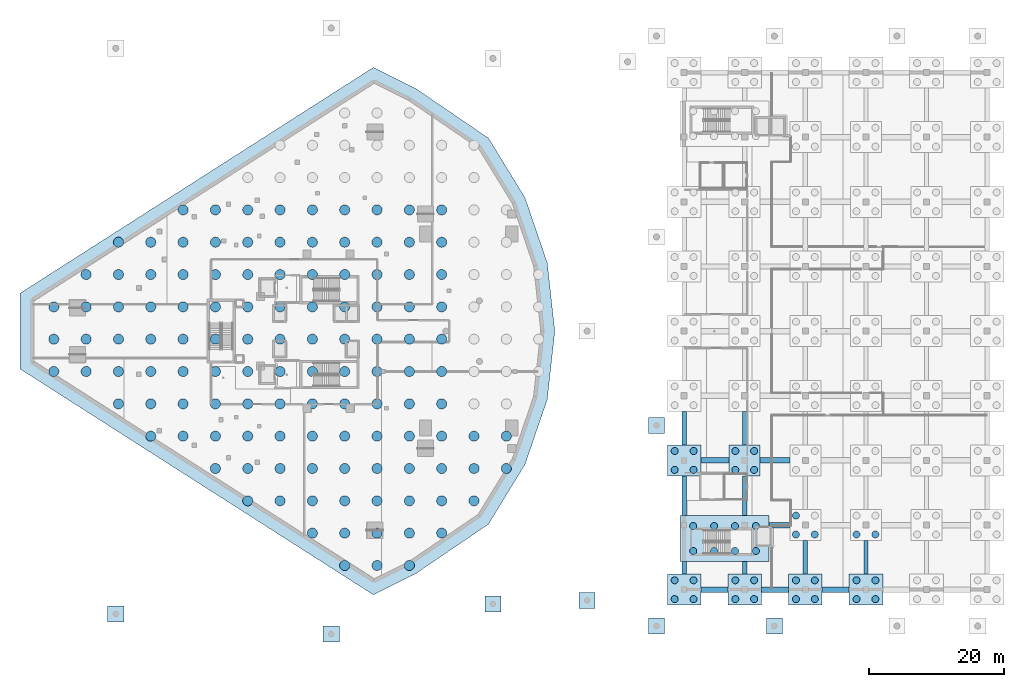
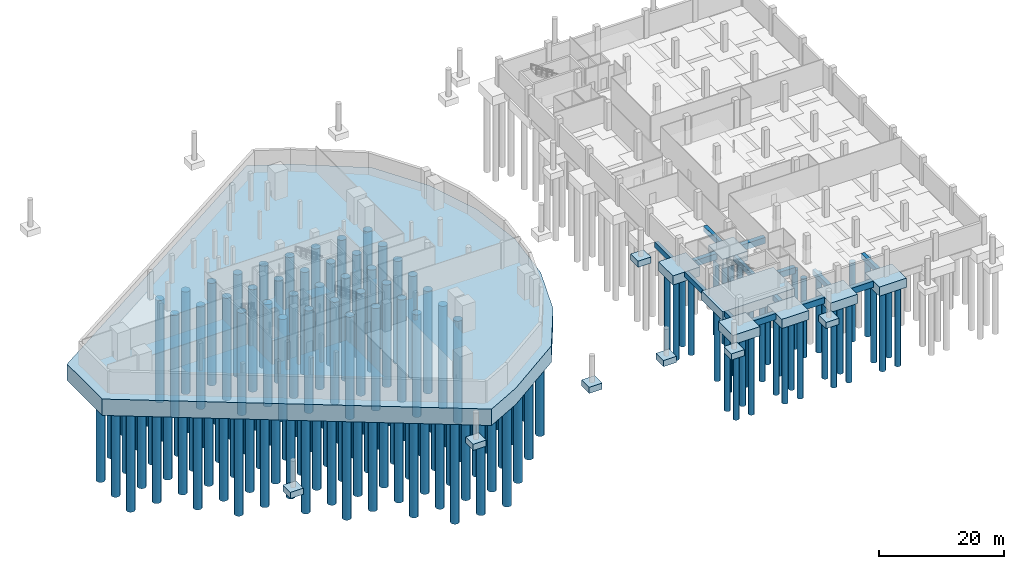
# One storey, part 1 of 22: 157 piles, 29 footings.
"""IFC4 building model written with IfcOpenShell, lengths in metres."""

from ifc_helpers import new_model, si_unit, direction, frame, origin, origin_2d, place, context, subcontext, project, spatial, polyline, rectangle, circle, outline, extrude, material, layer, layer_set, material_profile, profile_set, type_object, element, save


model = new_model("IFC4")

# Units and contexts
model_context = context("Model", 3, precision=1e-05, world=origin(), true_north=direction((0.0, 1.0)))
body_context = subcontext(model_context, "Body", "Model", "MODEL_VIEW")
ifc_project = project(units=[si_unit("LENGTHUNIT", "METRE"), si_unit("AREAUNIT", "SQUARE_METRE"), si_unit("VOLUMEUNIT", "CUBIC_METRE"), si_unit("PLANEANGLEUNIT", "RADIAN"), si_unit("MASSUNIT", "GRAM", prefix="KILO")], contexts=[model_context])

# Site, building, storey
site_placement = place(None, origin())
site = spatial("IfcSite", under=ifc_project, at=site_placement, CompositionType="ELEMENT")
building_placement = place(site_placement, origin())
building = spatial("IfcBuilding", under=site, at=building_placement, Name="Qorvath Tower", CompositionType="ELEMENT")
storey_placement = place(building_placement, frame((0.0, 0.0, -5.39990234375)))
storey = spatial("IfcBuildingStorey", under=building, at=storey_placement, Name="B01", CompositionType="ELEMENT", Elevation=-5.39990234375)

# Footings
ifc_material_1 = material(Name="Concrete C45/55", Category="concrete")
ifc_material_profile_1 = material_profile(ifc_material_1, rectangle(XDim=0.800048828125, YDim=1.199951171875, at=origin_2d()), Name="GB 800x1200")
ifc_profile_set_1 = profile_set([ifc_material_profile_1], Name="Concrete C45/55")
footing_type_1 = type_object("IfcFootingType", Name="FT-GB1", PredefinedType="FOOTING_BEAM", material=ifc_profile_set_1)
for number, where, z_axis, x_axis, name in (
    (1, (34.89990234375, -38.39990234375, -0.60009765625), (1.0, 0.0, 0.0), (0.0, 1.0, 0.0), "Library Tie Beam GB-001"),
    (2, (43.89990234375, -38.39990234375, -0.60009765625), (1.0, 0.0, 0.0), (0.0, 1.0, 0.0), "Library Tie Beam GB-002"),
    (3, (52.89990234375, -38.39990234375, -0.60009765625), (1.0, 0.0, 0.0), (0.0, 1.0, 0.0), "Library Tie Beam GB-003"),
):
    element("IfcFooting", number, at=place(storey_placement, frame(where, z_axis=z_axis, x_axis=x_axis)), inside=storey, type_object=footing_type_1, Name=name, PredefinedType="FOOTING_BEAM", context=body_context, shape_type="SweptSolid", body=[
        extrude(rectangle(XDim=0.800048828125, YDim=1.199951171875, at=origin_2d()), origin(), (0.0, 0.0, 1.0), 4.0),
    ])
footing_1_placement = place(storey_placement, frame((45.0, -28.800048828125, -0.60009765625), z_axis=(1.0, 0.0, 0.0), x_axis=(0.0, 1.0, 0.0)))
element("IfcFooting", 4, at=footing_1_placement, inside=storey, type_object=footing_type_1, Name="Library Tie Beam GB-006", PredefinedType="FOOTING_BEAM", context=body_context, shape_type="SweptSolid", body=[
    extrude(rectangle(XDim=0.800048828125, YDim=1.199951171875, at=origin_2d()), origin(), (0.0, 0.0, 1.0), 3.10009765625),
])
footing_2_placement = place(storey_placement, frame((34.89990234375, -19.199951171875, -0.60009765625), z_axis=(1.0, 0.0, 0.0), x_axis=(0.0, 1.0, 0.0)))
element("IfcFooting", 5, at=footing_2_placement, inside=storey, type_object=footing_type_1, Name="Library Tie Beam GB-010", PredefinedType="FOOTING_BEAM", context=body_context, shape_type="SweptSolid", body=[
    extrude(rectangle(XDim=0.800048828125, YDim=1.199951171875, at=origin_2d()), origin(), (0.0, 0.0, 1.0), 4.2001953125),
])
footing_3_placement = place(storey_placement, frame((43.699951171875, -19.199951171875, -0.60009765625), z_axis=(1.0, 0.0, 0.0), x_axis=(0.0, 1.0, 0.0)))
element("IfcFooting", 6, at=footing_3_placement, inside=storey, type_object=footing_type_1, Name="Library Tie Beam GB-011", PredefinedType="FOOTING_BEAM", context=body_context, shape_type="SweptSolid", body=[
    extrude(rectangle(XDim=0.800048828125, YDim=1.199951171875, at=origin_2d()), origin(), (0.0, 0.0, 1.0), 4.400146484375),
])
ifc_material_2 = material(Name="Concrete C45/55", Category="concrete")
ifc_material_profile_2 = material_profile(ifc_material_2, rectangle(XDim=0.64990234375, YDim=1.0, at=origin_2d()), Name="GB 650x1000")
ifc_profile_set_2 = profile_set([ifc_material_profile_2], Name="Concrete C45/55")
footing_type_2 = type_object("IfcFootingType", Name="FT-GB2", PredefinedType="FOOTING_BEAM", material=ifc_profile_set_2)
footing_4_placement = place(storey_placement, frame((32.39990234375, -36.10009765625, -0.5), z_axis=(0.0, 1.0, 0.0), x_axis=(-1.0, 0.0, 0.0)))
element("IfcFooting", 7, at=footing_4_placement, inside=storey, type_object=footing_type_2, Name="Library Tie Beam GB-044", PredefinedType="FOOTING_BEAM", context=body_context, shape_type="SweptSolid", body=[
    extrude(rectangle(XDim=0.64990234375, YDim=1.0, at=origin_2d()), origin(), (0.0, 0.0, 1.0), 1.900146484375),
])
footing_5_placement = place(storey_placement, frame((32.39990234375, -27.39990234375, -0.5), z_axis=(0.0, 1.0, 0.0), x_axis=(-1.0, 0.0, 0.0)))
element("IfcFooting", 8, at=footing_5_placement, inside=storey, type_object=footing_type_2, Name="Library Tie Beam GB-045", PredefinedType="FOOTING_BEAM", context=body_context, shape_type="SweptSolid", body=[
    extrude(rectangle(XDim=0.64990234375, YDim=1.0, at=origin_2d()), origin(), (0.0, 0.0, 1.0), 5.89990234375),
])
footing_6_placement = place(storey_placement, frame((32.39990234375, -16.89990234375, -0.5), z_axis=(0.0, 1.0, 0.0), x_axis=(-1.0, 0.0, 0.0)))
element("IfcFooting", 9, at=footing_6_placement, inside=storey, type_object=footing_type_2, Name="Library Tie Beam GB-046", PredefinedType="FOOTING_BEAM", context=body_context, shape_type="SweptSolid", body=[
    extrude(rectangle(XDim=0.64990234375, YDim=1.0, at=origin_2d()), origin(), (0.0, 0.0, 1.0), 5.0),
])
footing_7_placement = place(storey_placement, frame((41.39990234375, -36.10009765625, -0.5), z_axis=(0.0, 1.0, 0.0), x_axis=(-1.0, 0.0, 0.0)))
element("IfcFooting", 10, at=footing_7_placement, inside=storey, type_object=footing_type_2, Name="Library Tie Beam GB-052", PredefinedType="FOOTING_BEAM", context=body_context, shape_type="SweptSolid", body=[
    extrude(rectangle(XDim=0.64990234375, YDim=1.0, at=origin_2d()), origin(), (0.0, 0.0, 1.0), 1.900146484375),
])
footing_8_placement = place(storey_placement, frame((41.39990234375, -27.39990234375, -0.5), z_axis=(0.0, 1.0, 0.0), x_axis=(-1.0, 0.0, 0.0)))
element("IfcFooting", 11, at=footing_8_placement, inside=storey, type_object=footing_type_2, Name="Library Tie Beam GB-053", PredefinedType="FOOTING_BEAM", context=body_context, shape_type="SweptSolid", body=[
    extrude(rectangle(XDim=0.64990234375, YDim=1.0, at=origin_2d()), origin(), (0.0, 0.0, 1.0), 5.89990234375),
])
for number, where, z_axis, x_axis, name in (
    (12, (41.39990234375, -16.89990234375, -0.5), (0.0, 1.0, 0.0), (-1.0, 0.0, 0.0), "Library Tie Beam GB-054"),
    (13, (50.39990234375, -36.10009765625, -0.5), (0.0, 1.0, 0.0), (-1.0, 0.0, 0.0), "Library Tie Beam GB-060"),
    (14, (59.39990234375, -36.10009765625, -0.5), (0.0, 1.0, 0.0), (-1.0, 0.0, 0.0), "Library Tie Beam GB-068"),
):
    element("IfcFooting", number, at=place(storey_placement, frame(where, z_axis=z_axis, x_axis=x_axis)), inside=storey, type_object=footing_type_2, Name=name, PredefinedType="FOOTING_BEAM", context=body_context, shape_type="SweptSolid", body=[
        extrude(rectangle(XDim=0.64990234375, YDim=1.0, at=origin_2d()), origin(), (0.0, 0.0, 1.0), 5.0),
    ])
ifc_material_3 = material(Name="Concrete C45/55", Category="concrete")
ifc_layer_1 = layer(ifc_material_3, 1.800048828125)
ifc_layer_set_1 = layer_set([ifc_layer_1], Name="FT-LC-MAT")
footing_type_3 = type_object("IfcFootingType", Name="FT-LC-MAT", PredefinedType="PILE_CAP", material=ifc_layer_set_1)
footing_9_placement = place(storey_placement, frame((38.39990234375, -30.800048828125, -1.80029296875), z_axis=(0.0, 0.0, 1.0), x_axis=(1.0, 0.0, 0.0)))
element("IfcFooting", 15, at=footing_9_placement, inside=storey, type_object=footing_type_3, Name="Library Core Pile Cap Mat FT-LC-MAT-S", PredefinedType="PILE_CAP", context=body_context, shape_type="SweptSolid", body=[
    extrude(rectangle(XDim=13.199951171875, YDim=6.800048828125, at=origin_2d()), origin(), (0.0, 0.0, 1.0), 1.800048828125),
])
ifc_material_4 = material(Name="Concrete C50/60", Category="concrete")
ifc_layer_2 = layer(ifc_material_4, 3.199951171875)
ifc_layer_set_2 = layer_set([ifc_layer_2], Name="FT-MAT-T1")
footing_type_4 = type_object("IfcFootingType", Name="FT-MAT-T1", PredefinedType="CAISSON_FOUNDATION", material=ifc_layer_set_2)
footing_10_placement = place(storey_placement, frame((0.0, 0.0, -3.2001953125)))
element("IfcFooting", 16, at=footing_10_placement, inside=storey, type_object=footing_type_4, Name="Tower Piled Mat Foundation", PredefinedType="CAISSON_FOUNDATION", context=body_context, shape_type="SweptSolid", body=[
    extrude(outline(polyline([(-66.21923828125, 5.62255859375), (-66.21923828125, -5.62255859375), (-13.743896484375, -39.1611328125), (-7.423095703125, -36.000732421875), (3.353759765625, -28.6650390625), (8.7783203125, -19.79931640625), (12.079833984375, -10.143310546875), (13.1982421875, 0.0), (12.079833984375, 10.143310546875), (8.7783203125, 19.79931640625), (3.353759765625, 28.6650390625), (-7.423095703125, 36.000732421875), (-13.743896484375, 39.1611328125), (-66.21923828125, 5.62255859375)])), origin(), (0.0, 0.0, 1.0), 3.2001953125),
])
ifc_material_5 = material(Name="Concrete C45/55", Category="concrete")
ifc_layer_3 = layer(ifc_material_5, 1.800048828125)
ifc_layer_set_3 = layer_set([ifc_layer_3], Name="FT-PC-L1")
footing_type_5 = type_object("IfcFootingType", Name="FT-PC-L1", PredefinedType="PILE_CAP", material=ifc_layer_set_3)
footing_11_placement = place(storey_placement, frame((41.39990234375, -19.199951171875, -1.80029296875), z_axis=(0.0, 0.0, 1.0), x_axis=(1.0, 0.0, 0.0)))
element("IfcFooting", 17, at=footing_11_placement, inside=storey, type_object=footing_type_5, Name="Library Pile Cap PC-09", PredefinedType="PILE_CAP", context=body_context, shape_type="SweptSolid", body=[
    extrude(rectangle(XDim=4.60009765625, YDim=4.60009765625, at=origin_2d()), origin(), (0.0, 0.0, 1.0), 1.800048828125),
])
ifc_material_6 = material(Name="Concrete C45/55", Category="concrete")
ifc_layer_4 = layer(ifc_material_6, 1.800048828125)
ifc_layer_set_4 = layer_set([ifc_layer_4], Name="FT-PC-L2")
footing_type_6 = type_object("IfcFootingType", Name="FT-PC-L2", PredefinedType="PILE_CAP", material=ifc_layer_set_4)
for number, where, z_axis, x_axis, name in (
    (18, (32.39990234375, -38.39990234375, -1.80029296875), (0.0, 0.0, 1.0), (1.0, 0.0, 0.0), "Library Pile Cap PC-01"),
    (19, (32.39990234375, -19.199951171875, -1.80029296875), (0.0, 0.0, 1.0), (1.0, 0.0, 0.0), "Library Pile Cap PC-02"),
    (20, (41.39990234375, -38.39990234375, -1.80029296875), (0.0, 0.0, 1.0), (1.0, 0.0, 0.0), "Library Pile Cap PC-08"),
    (21, (50.39990234375, -38.39990234375, -1.80029296875), (0.0, 0.0, 1.0), (1.0, 0.0, 0.0), "Library Pile Cap PC-15"),
    (22, (59.39990234375, -38.39990234375, -1.80029296875), (0.0, 0.0, 1.0), (1.0, 0.0, 0.0), "Library Pile Cap PC-24"),
):
    element("IfcFooting", number, at=place(storey_placement, frame(where, z_axis=z_axis, x_axis=x_axis)), inside=storey, type_object=footing_type_6, Name=name, PredefinedType="PILE_CAP", context=body_context, shape_type="SweptSolid", body=[
        extrude(rectangle(XDim=5.0, YDim=4.60009765625, at=origin_2d()), origin(), (0.0, 0.0, 1.0), 1.800048828125),
    ])
ifc_material_7 = material(Name="Concrete C45/55", Category="concrete")
ifc_layer_5 = layer(ifc_material_7, 1.199951171875)
ifc_layer_set_5 = layer_set([ifc_layer_5], Name="FT-PF1")
footing_type_7 = type_object("IfcFootingType", Name="FT-PF1", PredefinedType="PAD_FOOTING", material=ifc_layer_set_5)
for number, where, z_axis, x_axis, name in (
    (23, (18.0, -40.0, -1.2001953125), (0.0, 0.0, 1.0), (1.0, 0.0, 0.0), "Plaza Deck Pad Footing PF-01"),
    (24, (-52.0, -42.0, -1.2001953125), (0.0, 0.0, 1.0), (1.0, 0.0, 0.0), "Plaza Deck Pad Footing PF-10"),
    (25, (-20.0, -45.0, -1.2001953125), (0.0, 0.0, 1.0), (1.0, 0.0, 0.0), "Plaza Deck Pad Footing PF-11"),
    (26, (4.0, -40.5, -1.2001953125), (0.0, 0.0, 1.0), (1.0, 0.0, 0.0), "Plaza Deck Pad Footing PF-12"),
    (27, (28.300048828125, -43.800048828125, -1.2001953125), (0.0, 0.0, 1.0), (1.0, 0.0, 0.0), "Plaza Deck Pad Footing PF-13"),
    (28, (28.300048828125, -14.0, -1.2001953125), (0.0, 0.0, 1.0), (1.0, 0.0, 0.0), "Plaza Deck Pad Footing PF-14"),
    (29, (45.800048828125, -43.800048828125, -1.2001953125), (0.0, 0.0, 1.0), (1.0, 0.0, 0.0), "Plaza Deck Pad Footing PF-20"),
):
    element("IfcFooting", number, at=place(storey_placement, frame(where, z_axis=z_axis, x_axis=x_axis)), inside=storey, type_object=footing_type_7, Name=name, PredefinedType="PAD_FOOTING", context=body_context, shape_type="SweptSolid", body=[
        extrude(rectangle(XDim=2.39990234375, YDim=2.39990234375, at=origin_2d()), origin(), (0.0, 0.0, 1.0), 1.199951171875),
    ])

# Piles
ifc_material_8 = material(Name="Concrete C50/60", Category="concrete")
ifc_material_profile_3 = material_profile(ifc_material_8, circle(Radius=0.75, at=origin_2d()), Name="BORED PILE 1500")
ifc_profile_set_3 = profile_set([ifc_material_profile_3], Name="Concrete C50/60")
pile_type_1 = type_object("IfcPileType", Name="PILE-P1", PredefinedType="BORED", material=ifc_profile_set_3)
for number, where, z_axis, x_axis, name in (
    (30, (-61.199951171875, -6.0, -3.10009765625), (0.0, 0.0, -1.0), (1.0, 0.0, 0.0), "Tower Bored Pile P1-001"),
    (31, (-61.199951171875, -1.199951171875, -3.10009765625), (0.0, 0.0, -1.0), (1.0, 0.0, 0.0), "Tower Bored Pile P1-002"),
    (32, (-61.199951171875, 3.60009765625, -3.10009765625), (0.0, 0.0, -1.0), (1.0, 0.0, 0.0), "Tower Bored Pile P1-003"),
    (33, (-56.39990234375, -6.0, -3.10009765625), (0.0, 0.0, -1.0), (1.0, 0.0, 0.0), "Tower Bored Pile P1-004"),
    (34, (-56.39990234375, -1.199951171875, -3.10009765625), (0.0, 0.0, -1.0), (1.0, 0.0, 0.0), "Tower Bored Pile P1-005"),
    (35, (-56.39990234375, 3.60009765625, -3.10009765625), (0.0, 0.0, -1.0), (1.0, 0.0, 0.0), "Tower Bored Pile P1-006"),
    (36, (-56.39990234375, 8.39990234375, -3.10009765625), (0.0, 0.0, -1.0), (1.0, 0.0, 0.0), "Tower Bored Pile P1-007"),
    (37, (-51.60009765625, -10.800048828125, -3.10009765625), (0.0, 0.0, -1.0), (1.0, 0.0, 0.0), "Tower Bored Pile P1-008"),
    (38, (-51.60009765625, -6.0, -3.10009765625), (0.0, 0.0, -1.0), (1.0, 0.0, 0.0), "Tower Bored Pile P1-009"),
    (39, (-51.60009765625, -1.199951171875, -3.10009765625), (0.0, 0.0, -1.0), (1.0, 0.0, 0.0), "Tower Bored Pile P1-010"),
    (40, (-51.60009765625, 3.60009765625, -3.10009765625), (0.0, 0.0, -1.0), (1.0, 0.0, 0.0), "Tower Bored Pile P1-011"),
    (41, (-51.60009765625, 8.39990234375, -3.10009765625), (0.0, 0.0, -1.0), (1.0, 0.0, 0.0), "Tower Bored Pile P1-012"),
    (42, (-51.60009765625, 13.199951171875, -3.10009765625), (0.0, 0.0, -1.0), (1.0, 0.0, 0.0), "Tower Bored Pile P1-013"),
    (43, (-46.800048828125, -15.60009765625, -3.10009765625), (0.0, 0.0, -1.0), (1.0, 0.0, 0.0), "Tower Bored Pile P1-014"),
    (44, (-46.800048828125, -10.800048828125, -3.10009765625), (0.0, 0.0, -1.0), (1.0, 0.0, 0.0), "Tower Bored Pile P1-015"),
    (45, (-46.800048828125, -6.0, -3.10009765625), (0.0, 0.0, -1.0), (1.0, 0.0, 0.0), "Tower Bored Pile P1-016"),
    (46, (-46.800048828125, -1.199951171875, -3.10009765625), (0.0, 0.0, -1.0), (1.0, 0.0, 0.0), "Tower Bored Pile P1-017"),
    (47, (-46.800048828125, 3.60009765625, -3.10009765625), (0.0, 0.0, -1.0), (1.0, 0.0, 0.0), "Tower Bored Pile P1-018"),
    (48, (-46.800048828125, 8.39990234375, -3.10009765625), (0.0, 0.0, -1.0), (1.0, 0.0, 0.0), "Tower Bored Pile P1-019"),
    (49, (-46.800048828125, 13.199951171875, -3.10009765625), (0.0, 0.0, -1.0), (1.0, 0.0, 0.0), "Tower Bored Pile P1-020"),
    (50, (-42.0, -15.60009765625, -3.10009765625), (0.0, 0.0, -1.0), (1.0, 0.0, 0.0), "Tower Bored Pile P1-021"),
    (51, (-42.0, -10.800048828125, -3.10009765625), (0.0, 0.0, -1.0), (1.0, 0.0, 0.0), "Tower Bored Pile P1-022"),
    (52, (-42.0, -6.0, -3.10009765625), (0.0, 0.0, -1.0), (1.0, 0.0, 0.0), "Tower Bored Pile P1-023"),
    (53, (-42.0, -1.199951171875, -3.10009765625), (0.0, 0.0, -1.0), (1.0, 0.0, 0.0), "Tower Bored Pile P1-024"),
    (54, (-42.0, 3.60009765625, -3.10009765625), (0.0, 0.0, -1.0), (1.0, 0.0, 0.0), "Tower Bored Pile P1-025"),
    (55, (-42.0, 8.39990234375, -3.10009765625), (0.0, 0.0, -1.0), (1.0, 0.0, 0.0), "Tower Bored Pile P1-026"),
    (56, (-42.0, 13.199951171875, -3.10009765625), (0.0, 0.0, -1.0), (1.0, 0.0, 0.0), "Tower Bored Pile P1-027"),
    (57, (-42.0, 18.0, -3.10009765625), (0.0, 0.0, -1.0), (1.0, 0.0, 0.0), "Tower Bored Pile P1-028"),
    (58, (-37.199951171875, -20.39990234375, -3.10009765625), (0.0, 0.0, -1.0), (1.0, 0.0, 0.0), "Tower Bored Pile P1-029"),
    (59, (-37.199951171875, -15.60009765625, -3.10009765625), (0.0, 0.0, -1.0), (1.0, 0.0, 0.0), "Tower Bored Pile P1-030"),
    (60, (-37.199951171875, -10.800048828125, -3.10009765625), (0.0, 0.0, -1.0), (1.0, 0.0, 0.0), "Tower Bored Pile P1-031"),
    (61, (-37.199951171875, -6.0, -3.10009765625), (0.0, 0.0, -1.0), (1.0, 0.0, 0.0), "Tower Bored Pile P1-032"),
    (62, (-37.199951171875, -1.199951171875, -3.10009765625), (0.0, 0.0, -1.0), (1.0, 0.0, 0.0), "Tower Bored Pile P1-033"),
    (63, (-37.199951171875, 3.60009765625, -3.10009765625), (0.0, 0.0, -1.0), (1.0, 0.0, 0.0), "Tower Bored Pile P1-034"),
    (64, (-37.199951171875, 8.39990234375, -3.10009765625), (0.0, 0.0, -1.0), (1.0, 0.0, 0.0), "Tower Bored Pile P1-035"),
    (65, (-37.199951171875, 13.199951171875, -3.10009765625), (0.0, 0.0, -1.0), (1.0, 0.0, 0.0), "Tower Bored Pile P1-036"),
    (66, (-37.199951171875, 18.0, -3.10009765625), (0.0, 0.0, -1.0), (1.0, 0.0, 0.0), "Tower Bored Pile P1-037"),
    (67, (-32.39990234375, -25.199951171875, -3.10009765625), (0.0, 0.0, -1.0), (1.0, 0.0, 0.0), "Tower Bored Pile P1-038"),
    (68, (-32.39990234375, -20.39990234375, -3.10009765625), (0.0, 0.0, -1.0), (1.0, 0.0, 0.0), "Tower Bored Pile P1-039"),
    (69, (-32.39990234375, -15.60009765625, -3.10009765625), (0.0, 0.0, -1.0), (1.0, 0.0, 0.0), "Tower Bored Pile P1-040"),
    (70, (-32.39990234375, -10.800048828125, -3.10009765625), (0.0, 0.0, -1.0), (1.0, 0.0, 0.0), "Tower Bored Pile P1-041"),
    (71, (-32.39990234375, -6.0, -3.10009765625), (0.0, 0.0, -1.0), (1.0, 0.0, 0.0), "Tower Bored Pile P1-042"),
    (72, (-32.39990234375, -1.199951171875, -3.10009765625), (0.0, 0.0, -1.0), (1.0, 0.0, 0.0), "Tower Bored Pile P1-043"),
    (73, (-32.39990234375, 3.60009765625, -3.10009765625), (0.0, 0.0, -1.0), (1.0, 0.0, 0.0), "Tower Bored Pile P1-044"),
    (74, (-32.39990234375, 8.39990234375, -3.10009765625), (0.0, 0.0, -1.0), (1.0, 0.0, 0.0), "Tower Bored Pile P1-045"),
    (75, (-32.39990234375, 13.199951171875, -3.10009765625), (0.0, 0.0, -1.0), (1.0, 0.0, 0.0), "Tower Bored Pile P1-046"),
    (76, (-32.39990234375, 18.0, -3.10009765625), (0.0, 0.0, -1.0), (1.0, 0.0, 0.0), "Tower Bored Pile P1-047"),
    (77, (-27.60009765625, -25.199951171875, -3.10009765625), (0.0, 0.0, -1.0), (1.0, 0.0, 0.0), "Tower Bored Pile P1-049"),
    (78, (-27.60009765625, -20.39990234375, -3.10009765625), (0.0, 0.0, -1.0), (1.0, 0.0, 0.0), "Tower Bored Pile P1-050"),
    (79, (-27.60009765625, -15.60009765625, -3.10009765625), (0.0, 0.0, -1.0), (1.0, 0.0, 0.0), "Tower Bored Pile P1-051"),
    (80, (-27.60009765625, -10.800048828125, -3.10009765625), (0.0, 0.0, -1.0), (1.0, 0.0, 0.0), "Tower Bored Pile P1-052"),
    (81, (-27.60009765625, -6.0, -3.10009765625), (0.0, 0.0, -1.0), (1.0, 0.0, 0.0), "Tower Bored Pile P1-053"),
    (82, (-27.60009765625, -1.199951171875, -3.10009765625), (0.0, 0.0, -1.0), (1.0, 0.0, 0.0), "Tower Bored Pile P1-054"),
    (83, (-27.60009765625, 3.60009765625, -3.10009765625), (0.0, 0.0, -1.0), (1.0, 0.0, 0.0), "Tower Bored Pile P1-055"),
    (84, (-27.60009765625, 8.39990234375, -3.10009765625), (0.0, 0.0, -1.0), (1.0, 0.0, 0.0), "Tower Bored Pile P1-056"),
    (85, (-27.60009765625, 13.199951171875, -3.10009765625), (0.0, 0.0, -1.0), (1.0, 0.0, 0.0), "Tower Bored Pile P1-057"),
    (86, (-27.60009765625, 18.0, -3.10009765625), (0.0, 0.0, -1.0), (1.0, 0.0, 0.0), "Tower Bored Pile P1-058"),
    (87, (-22.800048828125, -30.0, -3.10009765625), (0.0, 0.0, -1.0), (1.0, 0.0, 0.0), "Tower Bored Pile P1-061"),
    (88, (-22.800048828125, -25.199951171875, -3.10009765625), (0.0, 0.0, -1.0), (1.0, 0.0, 0.0), "Tower Bored Pile P1-062"),
    (89, (-22.800048828125, -20.39990234375, -3.10009765625), (0.0, 0.0, -1.0), (1.0, 0.0, 0.0), "Tower Bored Pile P1-063"),
    (90, (-22.800048828125, -15.60009765625, -3.10009765625), (0.0, 0.0, -1.0), (1.0, 0.0, 0.0), "Tower Bored Pile P1-064"),
    (91, (-22.800048828125, -10.800048828125, -3.10009765625), (0.0, 0.0, -1.0), (1.0, 0.0, 0.0), "Tower Bored Pile P1-065"),
    (92, (-22.800048828125, -6.0, -3.10009765625), (0.0, 0.0, -1.0), (1.0, 0.0, 0.0), "Tower Bored Pile P1-066"),
    (93, (-22.800048828125, -1.199951171875, -3.10009765625), (0.0, 0.0, -1.0), (1.0, 0.0, 0.0), "Tower Bored Pile P1-067"),
    (94, (-22.800048828125, 3.60009765625, -3.10009765625), (0.0, 0.0, -1.0), (1.0, 0.0, 0.0), "Tower Bored Pile P1-068"),
    (95, (-22.800048828125, 8.39990234375, -3.10009765625), (0.0, 0.0, -1.0), (1.0, 0.0, 0.0), "Tower Bored Pile P1-069"),
    (96, (-22.800048828125, 13.199951171875, -3.10009765625), (0.0, 0.0, -1.0), (1.0, 0.0, 0.0), "Tower Bored Pile P1-070"),
    (97, (-22.800048828125, 18.0, -3.10009765625), (0.0, 0.0, -1.0), (1.0, 0.0, 0.0), "Tower Bored Pile P1-071"),
    (98, (-18.0, -34.800048828125, -3.10009765625), (0.0, 0.0, -1.0), (1.0, 0.0, 0.0), "Tower Bored Pile P1-074"),
    (99, (-18.0, -30.0, -3.10009765625), (0.0, 0.0, -1.0), (1.0, 0.0, 0.0), "Tower Bored Pile P1-075"),
    (100, (-18.0, -25.199951171875, -3.10009765625), (0.0, 0.0, -1.0), (1.0, 0.0, 0.0), "Tower Bored Pile P1-076"),
    (101, (-18.0, -20.39990234375, -3.10009765625), (0.0, 0.0, -1.0), (1.0, 0.0, 0.0), "Tower Bored Pile P1-077"),
    (102, (-18.0, -15.60009765625, -3.10009765625), (0.0, 0.0, -1.0), (1.0, 0.0, 0.0), "Tower Bored Pile P1-078"),
    (103, (-18.0, -10.800048828125, -3.10009765625), (0.0, 0.0, -1.0), (1.0, 0.0, 0.0), "Tower Bored Pile P1-079"),
    (104, (-18.0, -6.0, -3.10009765625), (0.0, 0.0, -1.0), (1.0, 0.0, 0.0), "Tower Bored Pile P1-080"),
    (105, (-18.0, -1.199951171875, -3.10009765625), (0.0, 0.0, -1.0), (1.0, 0.0, 0.0), "Tower Bored Pile P1-081"),
    (106, (-18.0, 3.60009765625, -3.10009765625), (0.0, 0.0, -1.0), (1.0, 0.0, 0.0), "Tower Bored Pile P1-082"),
    (107, (-18.0, 8.39990234375, -3.10009765625), (0.0, 0.0, -1.0), (1.0, 0.0, 0.0), "Tower Bored Pile P1-083"),
    (108, (-18.0, 13.199951171875, -3.10009765625), (0.0, 0.0, -1.0), (1.0, 0.0, 0.0), "Tower Bored Pile P1-084"),
    (109, (-18.0, 18.0, -3.10009765625), (0.0, 0.0, -1.0), (1.0, 0.0, 0.0), "Tower Bored Pile P1-085"),
    (110, (-13.199951171875, -34.800048828125, -3.10009765625), (0.0, 0.0, -1.0), (1.0, 0.0, 0.0), "Tower Bored Pile P1-089"),
    (111, (-13.199951171875, -30.0, -3.10009765625), (0.0, 0.0, -1.0), (1.0, 0.0, 0.0), "Tower Bored Pile P1-090"),
    (112, (-13.199951171875, -25.199951171875, -3.10009765625), (0.0, 0.0, -1.0), (1.0, 0.0, 0.0), "Tower Bored Pile P1-091"),
    (113, (-13.199951171875, -20.39990234375, -3.10009765625), (0.0, 0.0, -1.0), (1.0, 0.0, 0.0), "Tower Bored Pile P1-092"),
    (114, (-13.199951171875, -15.60009765625, -3.10009765625), (0.0, 0.0, -1.0), (1.0, 0.0, 0.0), "Tower Bored Pile P1-093"),
    (115, (-13.199951171875, -10.800048828125, -3.10009765625), (0.0, 0.0, -1.0), (1.0, 0.0, 0.0), "Tower Bored Pile P1-094"),
    (116, (-13.199951171875, -6.0, -3.10009765625), (0.0, 0.0, -1.0), (1.0, 0.0, 0.0), "Tower Bored Pile P1-095"),
    (117, (-13.199951171875, -1.199951171875, -3.10009765625), (0.0, 0.0, -1.0), (1.0, 0.0, 0.0), "Tower Bored Pile P1-096"),
    (118, (-13.199951171875, 3.60009765625, -3.10009765625), (0.0, 0.0, -1.0), (1.0, 0.0, 0.0), "Tower Bored Pile P1-097"),
    (119, (-13.199951171875, 8.39990234375, -3.10009765625), (0.0, 0.0, -1.0), (1.0, 0.0, 0.0), "Tower Bored Pile P1-098"),
    (120, (-13.199951171875, 13.199951171875, -3.10009765625), (0.0, 0.0, -1.0), (1.0, 0.0, 0.0), "Tower Bored Pile P1-099"),
    (121, (-13.199951171875, 18.0, -3.10009765625), (0.0, 0.0, -1.0), (1.0, 0.0, 0.0), "Tower Bored Pile P1-100"),
    (122, (-8.39990234375, -34.800048828125, -3.10009765625), (0.0, 0.0, -1.0), (1.0, 0.0, 0.0), "Tower Bored Pile P1-104"),
    (123, (-8.39990234375, -30.0, -3.10009765625), (0.0, 0.0, -1.0), (1.0, 0.0, 0.0), "Tower Bored Pile P1-105"),
    (124, (-8.39990234375, -25.199951171875, -3.10009765625), (0.0, 0.0, -1.0), (1.0, 0.0, 0.0), "Tower Bored Pile P1-106"),
    (125, (-8.39990234375, -20.39990234375, -3.10009765625), (0.0, 0.0, -1.0), (1.0, 0.0, 0.0), "Tower Bored Pile P1-107"),
    (126, (-8.39990234375, -15.60009765625, -3.10009765625), (0.0, 0.0, -1.0), (1.0, 0.0, 0.0), "Tower Bored Pile P1-108"),
    (127, (-8.39990234375, -10.800048828125, -3.10009765625), (0.0, 0.0, -1.0), (1.0, 0.0, 0.0), "Tower Bored Pile P1-109"),
    (128, (-8.39990234375, -6.0, -3.10009765625), (0.0, 0.0, -1.0), (1.0, 0.0, 0.0), "Tower Bored Pile P1-110"),
    (129, (-8.39990234375, -1.199951171875, -3.10009765625), (0.0, 0.0, -1.0), (1.0, 0.0, 0.0), "Tower Bored Pile P1-111"),
    (130, (-8.39990234375, 3.60009765625, -3.10009765625), (0.0, 0.0, -1.0), (1.0, 0.0, 0.0), "Tower Bored Pile P1-112"),
    (131, (-8.39990234375, 8.39990234375, -3.10009765625), (0.0, 0.0, -1.0), (1.0, 0.0, 0.0), "Tower Bored Pile P1-113"),
    (132, (-8.39990234375, 13.199951171875, -3.10009765625), (0.0, 0.0, -1.0), (1.0, 0.0, 0.0), "Tower Bored Pile P1-114"),
    (133, (-8.39990234375, 18.0, -3.10009765625), (0.0, 0.0, -1.0), (1.0, 0.0, 0.0), "Tower Bored Pile P1-115"),
    (134, (-3.60009765625, -30.0, -3.10009765625), (0.0, 0.0, -1.0), (1.0, 0.0, 0.0), "Tower Bored Pile P1-119"),
    (135, (-3.60009765625, -25.199951171875, -3.10009765625), (0.0, 0.0, -1.0), (1.0, 0.0, 0.0), "Tower Bored Pile P1-120"),
    (136, (-3.60009765625, -20.39990234375, -3.10009765625), (0.0, 0.0, -1.0), (1.0, 0.0, 0.0), "Tower Bored Pile P1-121"),
    (137, (-3.60009765625, -15.60009765625, -3.10009765625), (0.0, 0.0, -1.0), (1.0, 0.0, 0.0), "Tower Bored Pile P1-122"),
    (138, (-3.60009765625, -10.800048828125, -3.10009765625), (0.0, 0.0, -1.0), (1.0, 0.0, 0.0), "Tower Bored Pile P1-123"),
    (139, (-3.60009765625, -6.0, -3.10009765625), (0.0, 0.0, -1.0), (1.0, 0.0, 0.0), "Tower Bored Pile P1-124"),
    (140, (-3.60009765625, -1.199951171875, -3.10009765625), (0.0, 0.0, -1.0), (1.0, 0.0, 0.0), "Tower Bored Pile P1-125"),
    (141, (-3.60009765625, 3.60009765625, -3.10009765625), (0.0, 0.0, -1.0), (1.0, 0.0, 0.0), "Tower Bored Pile P1-126"),
    (142, (-3.60009765625, 8.39990234375, -3.10009765625), (0.0, 0.0, -1.0), (1.0, 0.0, 0.0), "Tower Bored Pile P1-127"),
    (143, (-3.60009765625, 13.199951171875, -3.10009765625), (0.0, 0.0, -1.0), (1.0, 0.0, 0.0), "Tower Bored Pile P1-128"),
    (144, (-3.60009765625, 18.0, -3.10009765625), (0.0, 0.0, -1.0), (1.0, 0.0, 0.0), "Tower Bored Pile P1-129"),
    (145, (1.199951171875, -25.199951171875, -3.10009765625), (0.0, 0.0, -1.0), (1.0, 0.0, 0.0), "Tower Bored Pile P1-132"),
    (146, (1.199951171875, -20.39990234375, -3.10009765625), (0.0, 0.0, -1.0), (1.0, 0.0, 0.0), "Tower Bored Pile P1-133"),
    (147, (1.199951171875, -15.60009765625, -3.10009765625), (0.0, 0.0, -1.0), (1.0, 0.0, 0.0), "Tower Bored Pile P1-134"),
    (148, (6.0, -20.39990234375, -3.10009765625), (0.0, 0.0, -1.0), (1.0, 0.0, 0.0), "Tower Bored Pile P1-144"),
    (149, (6.0, -15.60009765625, -3.10009765625), (0.0, 0.0, -1.0), (1.0, 0.0, 0.0), "Tower Bored Pile P1-145"),
):
    element("IfcPile", number, at=place(storey_placement, frame(where, z_axis=z_axis, x_axis=x_axis)), inside=storey, type_object=pile_type_1, Name=name, PredefinedType="BORED", context=body_context, shape_type="SweptSolid", body=[
        extrude(circle(Radius=0.75, at=origin_2d()), origin(), (0.0, 0.0, 1.0), 20.0),
    ])
ifc_material_9 = material(Name="Concrete C45/55", Category="concrete")
ifc_material_profile_4 = material_profile(ifc_material_9, circle(Radius=0.52490234375, at=origin_2d()), Name="BORED PILE 1050")
ifc_profile_set_4 = profile_set([ifc_material_profile_4], Name="Concrete C45/55")
pile_type_2 = type_object("IfcPileType", Name="PILE-P2", PredefinedType="BORED", material=ifc_profile_set_4)
for number, where, z_axis, x_axis, name in (
    (150, (33.75, -32.64990234375, -1.7001953125), (0.0, 0.0, -1.0), (1.0, 0.0, 0.0), "Library Core Bored Pile P2-009"),
    (151, (33.75, -28.949951171875, -1.7001953125), (0.0, 0.0, -1.0), (1.0, 0.0, 0.0), "Library Core Bored Pile P2-010"),
    (152, (36.85009765625, -32.64990234375, -1.7001953125), (0.0, 0.0, -1.0), (1.0, 0.0, 0.0), "Library Core Bored Pile P2-011"),
    (153, (36.85009765625, -28.949951171875, -1.7001953125), (0.0, 0.0, -1.0), (1.0, 0.0, 0.0), "Library Core Bored Pile P2-012"),
    (154, (39.949951171875, -32.64990234375, -1.7001953125), (0.0, 0.0, -1.0), (1.0, 0.0, 0.0), "Library Core Bored Pile P2-013"),
    (155, (39.949951171875, -28.949951171875, -1.7001953125), (0.0, 0.0, -1.0), (1.0, 0.0, 0.0), "Library Core Bored Pile P2-014"),
    (156, (43.050048828125, -32.64990234375, -1.7001953125), (0.0, 0.0, -1.0), (1.0, 0.0, 0.0), "Library Core Bored Pile P2-015"),
    (157, (43.050048828125, -28.949951171875, -1.7001953125), (0.0, 0.0, -1.0), (1.0, 0.0, 0.0), "Library Core Bored Pile P2-016"),
    (158, (31.0, -39.800048828125, -1.7001953125), (0.0, 0.0, -1.0), (1.0, 0.0, 0.0), "Library Bored Pile P2-017"),
    (159, (31.0, -37.0, -1.7001953125), (0.0, 0.0, -1.0), (1.0, 0.0, 0.0), "Library Bored Pile P2-018"),
    (160, (33.800048828125, -39.800048828125, -1.7001953125), (0.0, 0.0, -1.0), (1.0, 0.0, 0.0), "Library Bored Pile P2-019"),
    (161, (33.800048828125, -37.0, -1.7001953125), (0.0, 0.0, -1.0), (1.0, 0.0, 0.0), "Library Bored Pile P2-020"),
    (162, (31.0, -20.60009765625, -1.7001953125), (0.0, 0.0, -1.0), (1.0, 0.0, 0.0), "Library Bored Pile P2-021"),
    (163, (31.0, -17.800048828125, -1.7001953125), (0.0, 0.0, -1.0), (1.0, 0.0, 0.0), "Library Bored Pile P2-022"),
    (164, (33.800048828125, -20.60009765625, -1.7001953125), (0.0, 0.0, -1.0), (1.0, 0.0, 0.0), "Library Bored Pile P2-023"),
    (165, (33.800048828125, -17.800048828125, -1.7001953125), (0.0, 0.0, -1.0), (1.0, 0.0, 0.0), "Library Bored Pile P2-024"),
    (166, (40.0, -39.800048828125, -1.7001953125), (0.0, 0.0, -1.0), (1.0, 0.0, 0.0), "Library Bored Pile P2-045"),
    (167, (40.0, -37.0, -1.7001953125), (0.0, 0.0, -1.0), (1.0, 0.0, 0.0), "Library Bored Pile P2-046"),
    (168, (42.800048828125, -39.800048828125, -1.7001953125), (0.0, 0.0, -1.0), (1.0, 0.0, 0.0), "Library Bored Pile P2-047"),
    (169, (42.800048828125, -37.0, -1.7001953125), (0.0, 0.0, -1.0), (1.0, 0.0, 0.0), "Library Bored Pile P2-048"),
    (170, (40.0, -20.60009765625, -1.7001953125), (0.0, 0.0, -1.0), (1.0, 0.0, 0.0), "Library Bored Pile P2-049"),
    (171, (40.0, -17.800048828125, -1.7001953125), (0.0, 0.0, -1.0), (1.0, 0.0, 0.0), "Library Bored Pile P2-050"),
    (172, (42.800048828125, -20.60009765625, -1.7001953125), (0.0, 0.0, -1.0), (1.0, 0.0, 0.0), "Library Bored Pile P2-051"),
    (173, (42.800048828125, -17.800048828125, -1.7001953125), (0.0, 0.0, -1.0), (1.0, 0.0, 0.0), "Library Bored Pile P2-052"),
    (174, (49.0, -39.800048828125, -1.7001953125), (0.0, 0.0, -1.0), (1.0, 0.0, 0.0), "Library Bored Pile P2-073"),
    (175, (49.0, -37.0, -1.7001953125), (0.0, 0.0, -1.0), (1.0, 0.0, 0.0), "Library Bored Pile P2-074"),
    (176, (51.800048828125, -39.800048828125, -1.7001953125), (0.0, 0.0, -1.0), (1.0, 0.0, 0.0), "Library Bored Pile P2-075"),
    (177, (51.800048828125, -37.0, -1.7001953125), (0.0, 0.0, -1.0), (1.0, 0.0, 0.0), "Library Bored Pile P2-076"),
    (178, (49.0, -30.199951171875, -1.7001953125), (0.0, 0.0, -1.0), (1.0, 0.0, 0.0), "Library Bored Pile P2-077"),
    (179, (49.0, -27.39990234375, -1.7001953125), (0.0, 0.0, -1.0), (1.0, 0.0, 0.0), "Library Bored Pile P2-078"),
    (180, (51.800048828125, -30.199951171875, -1.7001953125), (0.0, 0.0, -1.0), (1.0, 0.0, 0.0), "Library Bored Pile P2-079"),
    (181, (58.0, -39.800048828125, -1.7001953125), (0.0, 0.0, -1.0), (1.0, 0.0, 0.0), "Library Bored Pile P2-109"),
    (182, (58.0, -37.0, -1.7001953125), (0.0, 0.0, -1.0), (1.0, 0.0, 0.0), "Library Bored Pile P2-110"),
    (183, (60.800048828125, -39.800048828125, -1.7001953125), (0.0, 0.0, -1.0), (1.0, 0.0, 0.0), "Library Bored Pile P2-111"),
    (184, (60.800048828125, -37.0, -1.7001953125), (0.0, 0.0, -1.0), (1.0, 0.0, 0.0), "Library Bored Pile P2-112"),
    (185, (58.0, -30.199951171875, -1.7001953125), (0.0, 0.0, -1.0), (1.0, 0.0, 0.0), "Library Bored Pile P2-113"),
    (186, (60.800048828125, -30.199951171875, -1.7001953125), (0.0, 0.0, -1.0), (1.0, 0.0, 0.0), "Library Bored Pile P2-115"),
):
    element("IfcPile", number, at=place(storey_placement, frame(where, z_axis=z_axis, x_axis=x_axis)), inside=storey, type_object=pile_type_2, Name=name, PredefinedType="BORED", context=body_context, shape_type="SweptSolid", body=[
        extrude(circle(Radius=0.52490234375, at=origin_2d()), origin(), (0.0, 0.0, 1.0), 15.39990234375),
    ])

save(model, "model.ifc")
